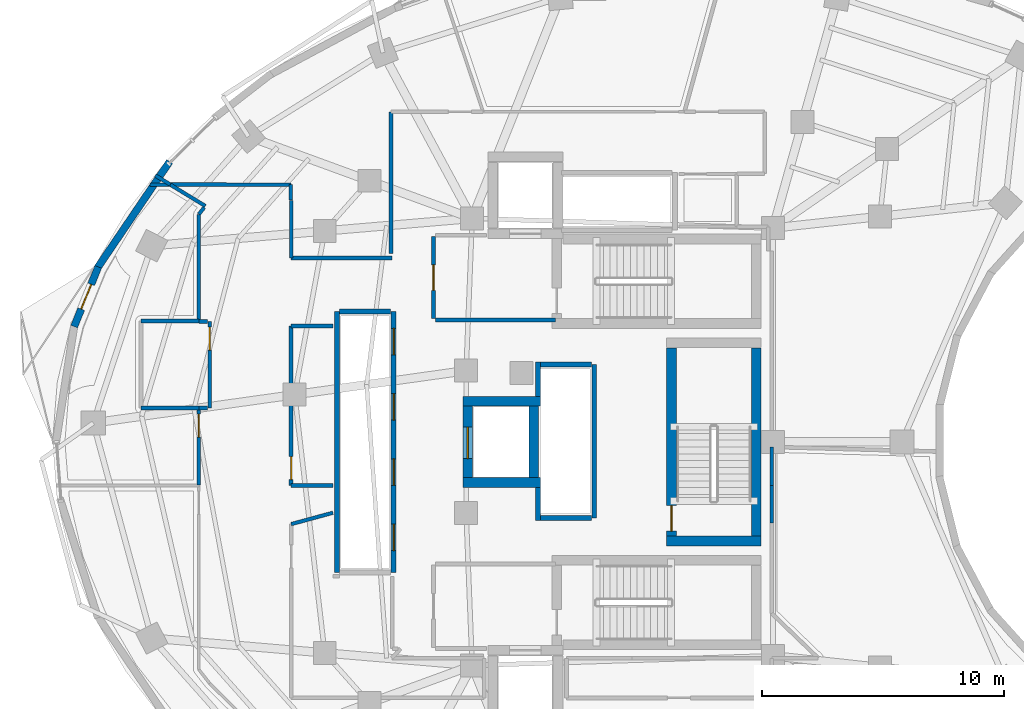
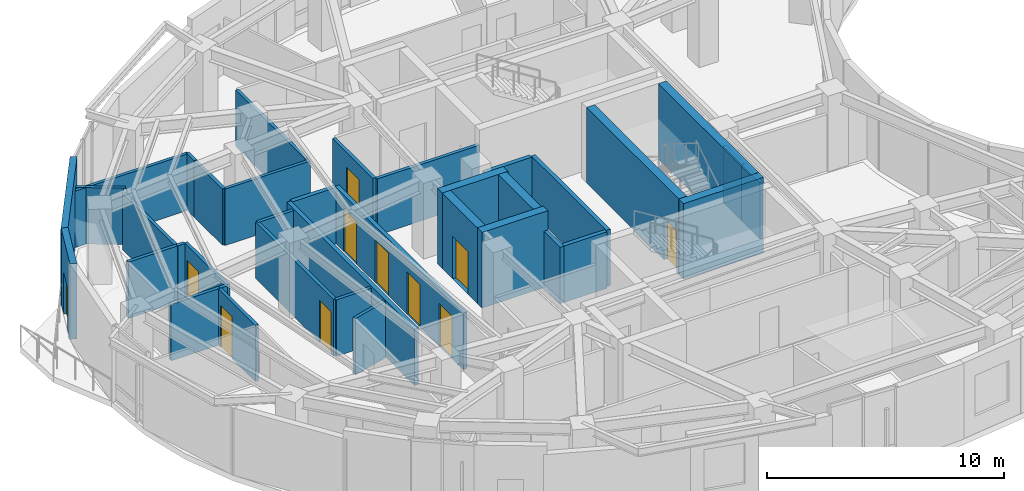
# One storey, part 8 of 13: 41 walls, 11 doors, 11 openings.
"""IFC4 building model written with IfcOpenShell, lengths in metres."""

from ifc_helpers import new_model, si_unit, direction, frame, frame_2d, origin, place, context, subcontext, project, spatial, rectangle, extrude, material, layer, layer_set, type_object, element, fill, save


model = new_model("IFC4")

# Units and contexts
model_context = context("Model", 3, precision=1e-05, world=origin(), true_north=direction((0.0, 1.0)))
body_context = subcontext(model_context, "Body", "Model", "MODEL_VIEW")
ifc_project = project(units=[si_unit("LENGTHUNIT", "METRE"), si_unit("AREAUNIT", "SQUARE_METRE"), si_unit("VOLUMEUNIT", "CUBIC_METRE"), si_unit("PLANEANGLEUNIT", "RADIAN"), si_unit("MASSUNIT", "GRAM", prefix="KILO")], contexts=[model_context])

# Site, building, storey
site_placement = place(None, origin())
site = spatial("IfcSite", under=ifc_project, at=site_placement, CompositionType="ELEMENT")
building_placement = place(site_placement, origin())
building = spatial("IfcBuilding", under=site, at=building_placement, Name="Korentha Bioscience Tower", CompositionType="ELEMENT")
storey_placement = place(building_placement, frame((0.0, 0.0, 154.199951171875)))
storey = spatial("IfcBuildingStorey", under=building, at=storey_placement, Name="L35", CompositionType="ELEMENT", Elevation=154.199951171875)

# Wall, opening, door
ifc_material_1 = material(Name="Double-Stud Acoustic Gypsum", Category="gypsum")
ifc_layer_1 = layer(ifc_material_1, 0.14990234375, Name="Double-Stud Acoustic Gypsum")
ifc_layer_set_1 = layer_set([ifc_layer_1], Name="Double-Stud Acoustic Gypsum (IW-L150)")
wall_type_1 = type_object("IfcWallType", Name="Acoustic Laboratory Partition Wall 150", PredefinedType="PARTITIONING", material=ifc_layer_set_1)
wall_1_placement = place(storey_placement, frame((13.7900390625, 28.389892578125, 0.0), z_axis=(0.0, 0.0, 1.0), x_axis=(0.0, -1.0, 0.0)))
wall_1 = element("IfcWall", 1, at=wall_1_placement, inside=storey, type_object=wall_type_1, Name="L35 Researchers' Wellness Quiet Room 11 Entrance Wall", PredefinedType="PARTITIONING", context=body_context, shape_type="SweptSolid", body=[
    extrude(rectangle(XDim=3.181884765625, YDim=0.14990234375, at=frame_2d((1.5908203125, 0.0))), origin(), (0.0, 0.0, 1.0), 2.91015625),
])
opening_1_placement = place(wall_1_placement, frame((0.239990234375, 0.0, 0.0)))
opening_1 = element("IfcOpeningElement", 2, at=opening_1_placement, cuts=wall_1, Name="Opening ID-10R", PredefinedType="OPENING", context=body_context, shape_type="SweptSolid", body=[
    extrude(rectangle(XDim=0.949951171875, YDim=2.14990234375, at=frame_2d((0.47509765625, 1.074951171875))), frame((0.0, 0.08984375, 0.0), z_axis=(0.0, -1.0, 0.0), x_axis=(1.0, 0.0, 0.0)), (0.0, 0.0, 1.0), 0.1796875),
])
ifc_material_2 = material(Name="Phenolic Laminate Timber Core", Category="wood")
door_type_1 = type_object("IfcDoorType", Name="Laboratory Single Leaf Door 950x2150 Right", OperationType="SINGLE_SWING_RIGHT", PredefinedType="DOOR", material=ifc_material_2)
door_1_placement = place(opening_1_placement, origin())
door_1 = element("IfcDoor", 3, at=door_1_placement, inside=storey, type_object=door_type_1, Name="L35 Researchers' Wellness Quiet Room 11 Door", OperationType="SINGLE_SWING_RIGHT", OverallHeight=2.14990234375, OverallWidth=0.949951171875, PredefinedType="DOOR", context=body_context, shape_type="SweptSolid", body=[
    extrude(rectangle(XDim=0.949951171875, YDim=2.14990234375, at=frame_2d((0.47509765625, 1.074951171875))), frame((0.0, 0.02490234375, 0.0), z_axis=(0.0, -1.0, 0.0), x_axis=(1.0, 0.0, 0.0)), (0.0, 0.0, 1.0), 0.050048828125),
])
fill(opening_1, door_1)

# Walls
wall_2_placement = place(storey_placement, frame((17.610107421875, 23.598876953125, 0.0), z_axis=(0.0, 0.0, 1.0), x_axis=(0.96501483668, 0.262195280255, 0.0)))
element("IfcWall", 4, at=wall_2_placement, inside=storey, type_object=wall_type_1, Name="L35 Interior Partition 035", PredefinedType="PARTITIONING", context=body_context, shape_type="SweptSolid", body=[
    extrude(rectangle(XDim=1.79248046875, YDim=0.14990234375, at=frame_2d((0.896240234375, 0.0))), origin(), (0.0, 0.0, 1.0), 2.91015625),
])
wall_3_placement = place(storey_placement, frame((37.501953125, 23.652099609375, 0.0), z_axis=(0.0, 0.0, 1.0), x_axis=(0.0, 1.0, 0.0)))
element("IfcWall", 5, at=wall_3_placement, inside=storey, type_object=wall_type_1, Name="L35 Interior Partition 052", PredefinedType="PARTITIONING", context=body_context, shape_type="SweptSolid", body=[
    extrude(rectangle(XDim=1.545654296875, YDim=0.14990234375, at=frame_2d((0.77294921875, 0.0))), origin(), (0.0, 0.0, 1.0), 2.91015625),
])
wall_4_placement = place(storey_placement, frame((37.501953125, 25.2021484375, 0.0), z_axis=(0.0, 0.0, 1.0), x_axis=(0.0, 1.0, 0.0)))
element("IfcWall", 6, at=wall_4_placement, inside=storey, type_object=wall_type_1, Name="L35 Interior Partition 053", PredefinedType="PARTITIONING", context=body_context, shape_type="SweptSolid", body=[
    extrude(rectangle(XDim=1.58935546875, YDim=0.14990234375, at=frame_2d((0.794677734375, 0.0))), origin(), (0.0, 0.0, 1.0), 2.91015625),
])
wall_5_placement = place(storey_placement, frame((21.739990234375, 40.64990234375, 0.0), z_axis=(0.0, 0.0, 1.0), x_axis=(0.0, -1.0, 0.0)))
element("IfcWall", 7, at=wall_5_placement, inside=storey, type_object=wall_type_1, Name="L35 Interior Partition 061", PredefinedType="PARTITIONING", context=body_context, shape_type="SweptSolid", body=[
    extrude(rectangle(XDim=5.849853515625, YDim=0.14990234375, at=frame_2d((2.9248046875, 0.0))), origin(), (0.0, 0.0, 1.0), 2.91015625),
])
wall_6_placement = place(storey_placement, frame((21.7900390625, 34.610107421875, 0.0), z_axis=(0.0, 0.0, 1.0), x_axis=(-1.0, 0.0, 0.0)))
element("IfcWall", 8, at=wall_6_placement, inside=storey, type_object=wall_type_1, Name="L35 Interior Partition 062", PredefinedType="PARTITIONING", context=body_context, shape_type="SweptSolid", body=[
    extrude(rectangle(XDim=4.179931640625, YDim=0.14990234375, at=frame_2d((2.08984375, 0.0))), origin(), (0.0, 0.0, 1.0), 2.91015625),
])
wall_7_placement = place(storey_placement, frame((17.610107421875, 34.610107421875, 0.0), z_axis=(0.0, 0.0, 1.0), x_axis=(0.0, 1.0, 0.0)))
element("IfcWall", 9, at=wall_7_placement, inside=storey, type_object=wall_type_1, Name="L35 Interior Partition 063", PredefinedType="PARTITIONING", context=body_context, shape_type="SweptSolid", body=[
    extrude(rectangle(XDim=2.389892578125, YDim=0.14990234375, at=frame_2d((1.19482421875, 0.0))), origin(), (0.0, 0.0, 1.0), 2.91015625),
])
wall_8_placement = place(storey_placement, frame((17.60009765625, 37.010009765625, 0.0), z_axis=(0.0, 0.0, 1.0), x_axis=(0.0, 1.0, 0.0)))
element("IfcWall", 10, at=wall_8_placement, inside=storey, type_object=wall_type_1, Name="L35 Interior Partition 065", PredefinedType="PARTITIONING", context=body_context, shape_type="SweptSolid", body=[
    extrude(rectangle(XDim=0.637939453125, YDim=0.14990234375, at=frame_2d((0.31884765625, 0.0))), origin(), (0.0, 0.0, 1.0), 2.91015625),
])
wall_9_placement = place(storey_placement, frame((17.60009765625, 37.64794921875, 0.0), z_axis=(0.0, 0.0, 1.0), x_axis=(-0.999999654811, 0.000830889254, 0.0)))
element("IfcWall", 11, at=wall_9_placement, inside=storey, type_object=wall_type_1, Name="L35 Interior Partition 066", PredefinedType="PARTITIONING", context=body_context, shape_type="SweptSolid", body=[
    extrude(rectangle(XDim=4.9951171875, YDim=0.14990234375, at=frame_2d((2.49755859375, 0.0))), origin(), (0.0, 0.0, 1.0), 2.91015625),
])
wall_10_placement = place(storey_placement, frame((12.604736328125, 37.652099609375, 0.0), z_axis=(0.0, 0.0, 1.0), x_axis=(-0.854460039547, 0.519517122737, 0.0)))
element("IfcWall", 12, at=wall_10_placement, inside=storey, type_object=wall_type_1, Name="L35 Interior Partition 067", PredefinedType="PARTITIONING", context=body_context, shape_type="SweptSolid", body=[
    extrude(rectangle(XDim=0.720947265625, YDim=0.14990234375, at=frame_2d((0.3603515625, 0.0))), origin(), (0.0, 0.0, 1.0), 2.91015625),
])
wall_11_placement = place(storey_placement, frame((11.762939453125, 37.64794921875, 0.0), z_axis=(0.0, 0.0, 1.0), x_axis=(1.0, 0.0, 0.0)))
element("IfcWall", 13, at=wall_11_placement, inside=storey, type_object=wall_type_1, Name="L35 Interior Partition 068", PredefinedType="PARTITIONING", context=body_context, shape_type="SweptSolid", body=[
    extrude(rectangle(XDim=0.8291015625, YDim=0.14990234375, at=frame_2d((0.41455078125, 0.0))), origin(), (0.0, 0.0, 1.0), 2.91015625),
])
wall_12_placement = place(storey_placement, frame((12.613525390625, 37.64208984375, 0.0), z_axis=(0.0, 0.0, 1.0), x_axis=(0.854432700604, -0.519562084971, 0.0)))
element("IfcWall", 14, at=wall_12_placement, inside=storey, type_object=wall_type_1, Name="L35 Interior Partition 069", PredefinedType="PARTITIONING", context=body_context, shape_type="SweptSolid", body=[
    extrude(rectangle(XDim=1.690673828125, YDim=0.14990234375, at=frame_2d((0.84521484375, 0.0))), origin(), (0.0, 0.0, 1.0), 2.91015625),
])
wall_13_placement = place(storey_placement, frame((14.009521484375, 36.701904296875, 0.0), z_axis=(0.0, 0.0, 1.0), x_axis=(-0.615804973601, -0.787898619423, 0.0)))
element("IfcWall", 15, at=wall_13_placement, inside=storey, type_object=wall_type_1, Name="L35 Interior Partition 070", PredefinedType="PARTITIONING", context=body_context, shape_type="SweptSolid", body=[
    extrude(rectangle(XDim=0.353271484375, YDim=0.14990234375, at=frame_2d((0.1767578125, 0.0))), origin(), (0.0, 0.0, 1.0), 2.91015625),
])
wall_14_placement = place(storey_placement, frame((13.7900390625, 36.41748046875, 0.0), z_axis=(0.0, 0.0, 1.0), x_axis=(0.0, -1.0, 0.0)))
element("IfcWall", 16, at=wall_14_placement, inside=storey, type_object=wall_type_1, Name="L35 Interior Partition 071", PredefinedType="PARTITIONING", context=body_context, shape_type="SweptSolid", body=[
    extrude(rectangle(XDim=4.407470703125, YDim=0.14990234375, at=frame_2d((2.20361328125, 0.0))), origin(), (0.0, 0.0, 1.0), 2.91015625),
])

# Wall, opening, door
ifc_material_3 = material(Name="Gypsum-Clad Steel Stud", Category="steel")
ifc_layer_2 = layer(ifc_material_3, 0.159912109375, Name="Gypsum-Clad Steel Stud")
ifc_layer_set_2 = layer_set([ifc_layer_2], Name="Gypsum-Clad Steel Stud (IW-C160)")
wall_type_2 = type_object("IfcWallType", Name="Fire-Rated Corridor Partition Wall 160", PredefinedType="PARTITIONING", material=ifc_layer_set_2)
wall_15_placement = place(storey_placement, frame((23.5, 32.10009765625, 0.0), z_axis=(0.0, 0.0, 1.0), x_axis=(0.0, 1.0, 0.0)))
wall_15 = element("IfcWall", 17, at=wall_15_placement, inside=storey, type_object=wall_type_2, Name="L35 FFLN-CW Rated Enclosure Wall", PredefinedType="PARTITIONING", context=body_context, shape_type="SweptSolid", body=[
    extrude(rectangle(XDim=3.39990234375, YDim=0.159912109375, at=frame_2d((1.699951171875, 0.0))), origin(), (0.0, 0.0, 1.0), 2.91015625),
])
opening_2_placement = place(wall_15_placement, frame((1.175048828125, 0.0, 0.0)))
opening_2 = element("IfcOpeningElement", 18, at=opening_2_placement, cuts=wall_15, Name="Opening FD-90R", PredefinedType="OPENING", context=body_context, shape_type="SweptSolid", body=[
    extrude(rectangle(XDim=1.050048828125, YDim=2.14990234375, at=frame_2d((0.52490234375, 1.074951171875))), frame((0.0, 0.0947265625, 0.0), z_axis=(0.0, -1.0, 0.0), x_axis=(1.0, 0.0, 0.0)), (0.0, 0.0, 1.0), 0.189697265625),
])
ifc_material_4 = material(Name="Powder-Coated Fire-Rated Steel", Category="steel")
door_type_2 = type_object("IfcDoorType", Name="Stairwell Fire Exit Door 1050x2150 Right", OperationType="SINGLE_SWING_RIGHT", PredefinedType="DOOR", material=ifc_material_4)
door_2_placement = place(opening_2_placement, origin())
door_2 = element("IfcDoor", 19, at=door_2_placement, inside=storey, type_object=door_type_2, Name="L35 North Firefighting Lobby Door", OperationType="SINGLE_SWING_RIGHT", OverallHeight=2.14990234375, OverallWidth=1.050048828125, PredefinedType="DOOR", context=body_context, shape_type="SweptSolid", body=[
    extrude(rectangle(XDim=1.050048828125, YDim=2.14990234375, at=frame_2d((0.52490234375, 1.074951171875))), frame((0.0, 0.02490234375, 0.0), z_axis=(0.0, -1.0, 0.0), x_axis=(1.0, 0.0, 0.0)), (0.0, 0.0, 1.0), 0.050048828125),
])
fill(opening_2, door_2)

# Wall
wall_16_placement = place(storey_placement, frame((23.580078125, 32.050048828125, 0.0), z_axis=(0.0, 0.0, 1.0), x_axis=(1.0, 0.0, 0.0)))
element("IfcWall", 20, at=wall_16_placement, inside=storey, type_object=wall_type_2, Name="L35 Firefighting Lobby Return Wall FFLN-S", PredefinedType="PARTITIONING", context=body_context, shape_type="SweptSolid", body=[
    extrude(rectangle(XDim=4.969970703125, YDim=0.159912109375, at=frame_2d((2.48486328125, 0.0))), origin(), (0.0, 0.0, 1.0), 2.91015625),
])

# Wall, opening, door
wall_17_placement = place(storey_placement, frame((14.239990234375, 31.989990234375, 0.0), z_axis=(0.0, 0.0, 1.0), x_axis=(0.0, -1.0, 0.0)))
wall_17 = element("IfcWall", 21, at=wall_17_placement, inside=storey, type_object=wall_type_2, Name="L35 Reclaimed Bank-1 North Data Closet Entrance Wall", PredefinedType="PARTITIONING", context=body_context, shape_type="SweptSolid", body=[
    extrude(rectangle(XDim=3.580078125, YDim=0.159912109375, at=frame_2d((1.7900390625, 0.0))), origin(), (0.0, 0.0, 1.0), 2.91015625),
])
opening_3_placement = place(wall_17_placement, frame((0.239990234375, 0.0, 0.0)))
opening_3 = element("IfcOpeningElement", 22, at=opening_3_placement, cuts=wall_17, Name="Opening ID-10L", PredefinedType="OPENING", context=body_context, shape_type="SweptSolid", body=[
    extrude(rectangle(XDim=0.949951171875, YDim=2.14990234375, at=frame_2d((0.47509765625, 1.074951171875))), frame((0.0, 0.0947265625, 0.0), z_axis=(0.0, -1.0, 0.0), x_axis=(1.0, 0.0, 0.0)), (0.0, 0.0, 1.0), 0.189697265625),
])
door_type_3 = type_object("IfcDoorType", Name="Laboratory Single Leaf Door 950x2150 Left", OperationType="SINGLE_SWING_LEFT", PredefinedType="DOOR", material=ifc_material_2)
door_3_placement = place(opening_3_placement, origin())
door_3 = element("IfcDoor", 23, at=door_3_placement, inside=storey, type_object=door_type_3, Name="L35 Reclaimed Bank-1 North Data Closet Door", OperationType="SINGLE_SWING_LEFT", OverallHeight=2.14990234375, OverallWidth=0.949951171875, PredefinedType="DOOR", context=body_context, shape_type="SweptSolid", body=[
    extrude(rectangle(XDim=0.949951171875, YDim=2.14990234375, at=frame_2d((0.47509765625, 1.074951171875))), frame((0.0, 0.02490234375, 0.0), z_axis=(0.0, -1.0, 0.0), x_axis=(1.0, 0.0, 0.0)), (0.0, 0.0, 1.0), 0.050048828125),
])
fill(opening_3, door_3)

wall_18_placement = place(storey_placement, frame((17.610107421875, 25.201904296875, 0.0), z_axis=(0.0, 0.0, 1.0), x_axis=(0.0, 1.0, 0.0)))
wall_18 = element("IfcWall", 24, at=wall_18_placement, inside=storey, type_object=wall_type_2, Name="L35 Cryogenic Dewar Supply Store 12 Entrance Wall", PredefinedType="PARTITIONING", context=body_context, shape_type="SweptSolid", body=[
    extrude(rectangle(XDim=6.588134765625, YDim=0.159912109375, at=frame_2d((3.2939453125, 0.0))), origin(), (0.0, 0.0, 1.0), 2.91015625),
])
opening_4_placement = place(wall_18_placement, frame((0.239990234375, 0.0, 0.0)))
opening_4 = element("IfcOpeningElement", 25, at=opening_4_placement, cuts=wall_18, Name="Opening ID-10L", PredefinedType="OPENING", context=body_context, shape_type="SweptSolid", body=[
    extrude(rectangle(XDim=0.949951171875, YDim=2.14990234375, at=frame_2d((0.47509765625, 1.074951171875))), frame((0.0, 0.0947265625, 0.0), z_axis=(0.0, -1.0, 0.0), x_axis=(1.0, 0.0, 0.0)), (0.0, 0.0, 1.0), 0.189697265625),
])
door_4_placement = place(opening_4_placement, origin())
door_4 = element("IfcDoor", 26, at=door_4_placement, inside=storey, type_object=door_type_3, Name="L35 Cryogenic Dewar Supply Store 12 Door", OperationType="SINGLE_SWING_LEFT", OverallHeight=2.14990234375, OverallWidth=0.949951171875, PredefinedType="DOOR", context=body_context, shape_type="SweptSolid", body=[
    extrude(rectangle(XDim=0.949951171875, YDim=2.14990234375, at=frame_2d((0.47509765625, 1.074951171875))), frame((0.0, 0.02490234375, 0.0), z_axis=(0.0, -1.0, 0.0), x_axis=(1.0, 0.0, 0.0)), (0.0, 0.0, 1.0), 0.050048828125),
])
fill(opening_4, door_4)

# Walls
for number, where, z_axis, x_axis, name in (
    (27, (13.800048828125, 31.989990234375, 0.0), (0.0, 0.0, 1.0), (1.0, 0.0, 0.0), "L35 Interior Partition 017"),
    (28, (14.156982421875, 28.409912109375, 0.0), (0.0, 0.0, 1.0), (-1.0, 0.0, 0.0), "L35 Interior Partition 018"),
):
    element("IfcWall", number, at=place(storey_placement, frame(where, z_axis=z_axis, x_axis=x_axis)), inside=storey, type_object=wall_type_2, Name=name, PredefinedType="PARTITIONING", context=body_context, shape_type="SweptSolid", body=[
        extrude(rectangle(XDim=0.35693359375, YDim=0.159912109375, at=frame_2d((0.178466796875, 0.0))), origin(), (0.0, 0.0, 1.0), 2.91015625),
    ])
for number, where, z_axis, x_axis, name in (
    (29, (13.7900390625, 28.39990234375, 0.0), (0.0, 0.0, 1.0), (-1.0, 0.0, 0.0), "L35 Interior Partition 019"),
    (30, (11.39990234375, 32.0, 0.0), (0.0, 0.0, 1.0), (1.0, 0.0, 0.0), "L35 Interior Partition 021"),
):
    element("IfcWall", number, at=place(storey_placement, frame(where, z_axis=z_axis, x_axis=x_axis)), inside=storey, type_object=wall_type_2, Name=name, PredefinedType="PARTITIONING", context=body_context, shape_type="SweptSolid", body=[
        extrude(rectangle(XDim=2.39013671875, YDim=0.159912109375, at=frame_2d((1.195068359375, 0.0))), origin(), (0.0, 0.0, 1.0), 2.91015625),
    ])
for number, where, z_axis, x_axis, name in (
    (31, (19.340087890625, 25.201904296875, 0.0), (0.0, 0.0, 1.0), (-1.0, 0.0, 0.0), "L35 Interior Partition 072"),
    (32, (17.610107421875, 31.7900390625, 0.0), (0.0, 0.0, 1.0), (1.0, 0.0, 0.0), "L35 Interior Partition 073"),
):
    element("IfcWall", number, at=place(storey_placement, frame(where, z_axis=z_axis, x_axis=x_axis)), inside=storey, type_object=wall_type_2, Name=name, PredefinedType="PARTITIONING", context=body_context, shape_type="SweptSolid", body=[
        extrude(rectangle(XDim=1.72998046875, YDim=0.159912109375, at=frame_2d((0.864990234375, 0.0))), origin(), (0.0, 0.0, 1.0), 2.91015625),
    ])

# Wall, opening, door
ifc_material_5 = material(Name="Honed Limestone Precast Concrete C40", Category="masonry")
ifc_layer_3 = layer(ifc_material_5, 0.300048828125, Name="Honed Limestone Precast Concrete C40")
ifc_layer_set_3 = layer_set([ifc_layer_3], Name="Honed Limestone Precast Concrete C40 (EW-ST300)")
wall_type_3 = type_object("IfcWallType", Name="Honed Limestone Cavity Spandrel Wall 300", PredefinedType="STANDARD", material=ifc_layer_set_3)
wall_19_placement = place(storey_placement, frame((9.625732421875, 34.2421875, 0.0), z_axis=(0.0, 0.0, 1.0), x_axis=(-0.373983610438, -0.927435312636, 0.0)))
wall_19 = element("IfcWall", 33, at=wall_19_placement, inside=storey, type_object=wall_type_3, Name="L35 Balcony Threshold Wall 02", PredefinedType="STANDARD", context=body_context, shape_type="SweptSolid", body=[
    extrude(rectangle(XDim=2.660888671875, YDim=0.300048828125, at=frame_2d((1.33056640625, 0.0))), origin(), (0.0, 0.0, 1.0), 3.900146484375),
])
opening_5_placement = place(wall_19_placement, frame((0.780517578125, 0.0, 0.0)))
opening_5 = element("IfcOpeningElement", 34, at=opening_5_placement, cuts=wall_19, Name="Opening BD-11R", PredefinedType="OPENING", context=body_context, shape_type="SweptSolid", body=[
    extrude(rectangle(XDim=1.10009765625, YDim=2.14990234375, at=frame_2d((0.550048828125, 1.074951171875))), frame((0.0, 0.1650390625, 0.0), z_axis=(0.0, -1.0, 0.0), x_axis=(1.0, 0.0, 0.0)), (0.0, 0.0, 1.0), 0.329833984375),
])
ifc_material_6 = material(Name="Thermally Broken Glazed Aluminium", Category="aluminium")
door_type_4 = type_object("IfcDoorType", Name="Balcony Terrace Glazed Door 1100x2150 Right", OperationType="SINGLE_SWING_RIGHT", PredefinedType="DOOR", material=ifc_material_6)
door_5_placement = place(opening_5_placement, origin())
door_5 = element("IfcDoor", 35, at=door_5_placement, inside=storey, type_object=door_type_4, Name="L35 Balcony Access Door 02", OperationType="SINGLE_SWING_RIGHT", OverallHeight=2.14990234375, OverallWidth=1.10009765625, PredefinedType="DOOR", context=body_context, shape_type="SweptSolid", body=[
    extrude(rectangle(XDim=1.10009765625, YDim=2.14990234375, at=frame_2d((0.550048828125, 1.074951171875))), frame((0.0, 0.02490234375, 0.0), z_axis=(0.0, -1.0, 0.0), x_axis=(1.0, 0.0, 0.0)), (0.0, 0.0, 1.0), 0.050048828125),
])
fill(opening_5, door_5)

# Walls
wall_20_placement = place(storey_placement, frame((12.580078125, 38.6005859375, 0.0), z_axis=(0.0, 0.0, 1.0), x_axis=(-0.561663900064, -0.827365495634, 0.0)))
element("IfcWall", 36, at=wall_20_placement, inside=storey, type_object=wall_type_3, Name="L35 Limestone Perimeter Closure Wall 14", PredefinedType="STANDARD", context=body_context, shape_type="SweptSolid", body=[
    extrude(rectangle(XDim=5.437744140625, YDim=0.300048828125, at=frame_2d((2.71875, 0.0))), origin(), (0.0, 0.0, 1.0), 3.900146484375),
])
ifc_material_7 = material(Name="Autoclaved Aerated Concrete Block C25", Category="concrete")
ifc_layer_4 = layer(ifc_material_7, 0.199951171875, Name="Autoclaved Aerated Concrete Block C25")
ifc_layer_set_4 = layer_set([ifc_layer_4], Name="Autoclaved Aerated Concrete Block C25 (IW-S200)")
wall_type_4 = type_object("IfcWallType", Name="Lift and Riser Shaft Enclosure Wall 200", PredefinedType="PARTITIONING", material=ifc_layer_set_4)
wall_21_placement = place(storey_placement, frame((19.5, 21.60009765625, 0.0), z_axis=(0.0, 0.0, 1.0), x_axis=(0.0, 1.0, 0.0)))
element("IfcWall", 37, at=wall_21_placement, inside=storey, type_object=wall_type_4, Name="L35 Lift Bank MID Shaft Wall -X", PredefinedType="PARTITIONING", context=body_context, shape_type="SweptSolid", body=[
    extrude(rectangle(XDim=10.7998046875, YDim=0.199951171875, at=frame_2d((5.39990234375, 0.0))), origin(), (0.0, 0.0, 1.0), 2.91015625),
])

# Wall, openings, doors
wall_22_placement = place(storey_placement, frame((21.85009765625, 21.60009765625, 0.0), z_axis=(0.0, 0.0, 1.0), x_axis=(0.0, 1.0, 0.0)))
wall_22 = element("IfcWall", 38, at=wall_22_placement, inside=storey, type_object=wall_type_4, Name="L35 Lift Bank MID Shaft Wall +X", PredefinedType="PARTITIONING", context=body_context, shape_type="SweptSolid", body=[
    extrude(rectangle(XDim=10.7998046875, YDim=0.199951171875, at=frame_2d((5.39990234375, 0.0))), origin(), (0.0, 0.0, 1.0), 2.91015625),
])
opening_6_placement = place(wall_22_placement, frame((0.89990234375, 0.0, 0.0)))
opening_6 = element("IfcOpeningElement", 39, at=opening_6_placement, cuts=wall_22, Name="Opening LD-11", PredefinedType="OPENING", context=body_context, shape_type="SweptSolid", body=[
    extrude(rectangle(XDim=1.10009765625, YDim=2.199951171875, at=frame_2d((0.550048828125, 1.10009765625))), frame((0.0, 0.11474609375, 0.0), z_axis=(0.0, -1.0, 0.0), x_axis=(1.0, 0.0, 0.0)), (0.0, 0.0, 1.0), 0.229736328125),
])
opening_7_placement = place(wall_22_placement, frame((3.60009765625, 0.0, 0.0)))
opening_7 = element("IfcOpeningElement", 40, at=opening_7_placement, cuts=wall_22, Name="Opening LD-11", PredefinedType="OPENING", context=body_context, shape_type="SweptSolid", body=[
    extrude(rectangle(XDim=1.10009765625, YDim=2.199951171875, at=frame_2d((0.550048828125, 1.10009765625))), frame((0.0, 0.11474609375, 0.0), z_axis=(0.0, -1.0, 0.0), x_axis=(1.0, 0.0, 0.0)), (0.0, 0.0, 1.0), 0.229736328125),
])
opening_8_placement = place(wall_22_placement, frame((6.300048828125, 0.0, 0.0)))
opening_8 = element("IfcOpeningElement", 41, at=opening_8_placement, cuts=wall_22, Name="Opening LD-11", PredefinedType="OPENING", context=body_context, shape_type="SweptSolid", body=[
    extrude(rectangle(XDim=1.10009765625, YDim=2.199951171875, at=frame_2d((0.550048828125, 1.10009765625))), frame((0.0, 0.11474609375, 0.0), z_axis=(0.0, -1.0, 0.0), x_axis=(1.0, 0.0, 0.0)), (0.0, 0.0, 1.0), 0.229736328125),
])
opening_9_placement = place(wall_22_placement, frame((9.0, 0.0, 0.0)))
opening_9 = element("IfcOpeningElement", 42, at=opening_9_placement, cuts=wall_22, Name="Opening LD-11", PredefinedType="OPENING", context=body_context, shape_type="SweptSolid", body=[
    extrude(rectangle(XDim=1.10009765625, YDim=2.199951171875, at=frame_2d((0.550048828125, 1.10009765625))), frame((0.0, 0.11474609375, 0.0), z_axis=(0.0, -1.0, 0.0), x_axis=(1.0, 0.0, 0.0)), (0.0, 0.0, 1.0), 0.229736328125),
])
ifc_material_8 = material(Name="Brushed Stainless Steel 304", Category="steel")
door_type_5 = type_object("IfcDoorType", Name="Passenger Lift Sliding Landing Door 1100x2200", OperationType="DOUBLE_DOOR_SLIDING", PredefinedType="DOOR", material=ifc_material_8)
door_6_placement = place(opening_6_placement, origin())
door_6 = element("IfcDoor", 43, at=door_6_placement, inside=storey, type_object=door_type_5, Name="L35 PL-M1 Sliding Lift Landing Door", OperationType="DOUBLE_DOOR_SLIDING", OverallHeight=2.199951171875, OverallWidth=1.10009765625, PredefinedType="DOOR", context=body_context, shape_type="SweptSolid", body=[
    extrude(rectangle(XDim=1.10009765625, YDim=2.199951171875, at=frame_2d((0.550048828125, 1.10009765625))), frame((0.0, 0.02490234375, 0.0), z_axis=(0.0, -1.0, 0.0), x_axis=(1.0, 0.0, 0.0)), (0.0, 0.0, 1.0), 0.050048828125),
])
fill(opening_6, door_6)
door_7_placement = place(opening_7_placement, origin())
door_7 = element("IfcDoor", 44, at=door_7_placement, inside=storey, type_object=door_type_5, Name="L35 PL-M2 Sliding Lift Landing Door", OperationType="DOUBLE_DOOR_SLIDING", OverallHeight=2.199951171875, OverallWidth=1.10009765625, PredefinedType="DOOR", context=body_context, shape_type="SweptSolid", body=[
    extrude(rectangle(XDim=1.10009765625, YDim=2.199951171875, at=frame_2d((0.550048828125, 1.10009765625))), frame((0.0, 0.02490234375, 0.0), z_axis=(0.0, -1.0, 0.0), x_axis=(1.0, 0.0, 0.0)), (0.0, 0.0, 1.0), 0.050048828125),
])
fill(opening_7, door_7)
door_8_placement = place(opening_8_placement, origin())
door_8 = element("IfcDoor", 45, at=door_8_placement, inside=storey, type_object=door_type_5, Name="L35 PL-M3 Sliding Lift Landing Door", OperationType="DOUBLE_DOOR_SLIDING", OverallHeight=2.199951171875, OverallWidth=1.10009765625, PredefinedType="DOOR", context=body_context, shape_type="SweptSolid", body=[
    extrude(rectangle(XDim=1.10009765625, YDim=2.199951171875, at=frame_2d((0.550048828125, 1.10009765625))), frame((0.0, 0.02490234375, 0.0), z_axis=(0.0, -1.0, 0.0), x_axis=(1.0, 0.0, 0.0)), (0.0, 0.0, 1.0), 0.050048828125),
])
fill(opening_8, door_8)
door_9_placement = place(opening_9_placement, origin())
door_9 = element("IfcDoor", 46, at=door_9_placement, inside=storey, type_object=door_type_5, Name="L35 PL-M4 Sliding Lift Landing Door", OperationType="DOUBLE_DOOR_SLIDING", OverallHeight=2.199951171875, OverallWidth=1.10009765625, PredefinedType="DOOR", context=body_context, shape_type="SweptSolid", body=[
    extrude(rectangle(XDim=1.10009765625, YDim=2.199951171875, at=frame_2d((0.550048828125, 1.10009765625))), frame((0.0, 0.02490234375, 0.0), z_axis=(0.0, -1.0, 0.0), x_axis=(1.0, 0.0, 0.0)), (0.0, 0.0, 1.0), 0.050048828125),
])
fill(opening_9, door_9)

# Walls
wall_23_placement = place(storey_placement, frame((19.6201171875, 32.39990234375, 0.0), z_axis=(0.0, 0.0, 1.0), x_axis=(1.0, 0.0, 0.0)))
element("IfcWall", 47, at=wall_23_placement, inside=storey, type_object=wall_type_4, Name="L35 Lift Bank MID Shaft Wall +Y", PredefinedType="PARTITIONING", context=body_context, shape_type="SweptSolid", body=[
    extrude(rectangle(XDim=2.10986328125, YDim=0.199951171875, at=frame_2d((1.054931640625, 0.0))), origin(), (0.0, 0.0, 1.0), 2.91015625),
])
wall_24_placement = place(storey_placement, frame((27.830078125, 23.75, 0.0), z_axis=(0.0, 0.0, 1.0), x_axis=(0.0, 1.0, 0.0)))
element("IfcWall", 48, at=wall_24_placement, inside=storey, type_object=wall_type_4, Name="L35 Lift Bank HIGH Shaft Wall -XS", PredefinedType="PARTITIONING", context=body_context, shape_type="SweptSolid", body=[
    extrude(rectangle(XDim=1.365966796875, YDim=0.199951171875, at=frame_2d((0.68310546875, 0.0))), origin(), (0.0, 0.0, 1.0), 2.91015625),
])
wall_25_placement = place(storey_placement, frame((27.830078125, 28.884033203125, 0.0), z_axis=(0.0, 0.0, 1.0), x_axis=(0.0, 1.0, 0.0)))
element("IfcWall", 49, at=wall_25_placement, inside=storey, type_object=wall_type_4, Name="L35 Lift Bank HIGH Shaft Wall -XN", PredefinedType="PARTITIONING", context=body_context, shape_type="SweptSolid", body=[
    extrude(rectangle(XDim=1.416015625, YDim=0.199951171875, at=frame_2d((0.7080078125, 0.0))), origin(), (0.0, 0.0, 1.0), 2.91015625),
])
wall_26_placement = place(storey_placement, frame((30.14990234375, 23.85009765625, 0.0), z_axis=(0.0, 0.0, 1.0), x_axis=(0.0, 1.0, 0.0)))
element("IfcWall", 50, at=wall_26_placement, inside=storey, type_object=wall_type_4, Name="L35 Lift Bank HIGH Shaft Wall +X", PredefinedType="PARTITIONING", context=body_context, shape_type="SweptSolid", body=[
    extrude(rectangle(XDim=6.349853515625, YDim=0.199951171875, at=frame_2d((3.1748046875, 0.0))), origin(), (0.0, 0.0, 1.0), 2.91015625),
])
for number, where, z_axis, x_axis, name in (
    (51, (27.93408203125, 23.85009765625, 0.0), (0.0, 0.0, 1.0), (1.0, 0.0, 0.0), "L35 Lift Bank HIGH Shaft Wall -Y"),
    (52, (27.93408203125, 30.199951171875, 0.0), (0.0, 0.0, 1.0), (1.0, 0.0, 0.0), "L35 Lift Bank HIGH Shaft Wall +Y"),
):
    element("IfcWall", number, at=place(storey_placement, frame(where, z_axis=z_axis, x_axis=x_axis)), inside=storey, type_object=wall_type_4, Name=name, PredefinedType="PARTITIONING", context=body_context, shape_type="SweptSolid", body=[
        extrude(rectangle(XDim=2.095947265625, YDim=0.199951171875, at=frame_2d((1.0478515625, 0.0))), origin(), (0.0, 0.0, 1.0), 2.91015625),
    ])
ifc_material_9 = material(Name="Concrete C65", Category="concrete")
ifc_layer_5 = layer(ifc_material_9, 0.39990234375, Name="Concrete C65")
ifc_layer_set_5 = layer_set([ifc_layer_5], Name="Concrete C65 (CW-C65)")
wall_type_5 = type_object("IfcWallType", Name="Mid-Rise Core Shear Wall 400", PredefinedType="SHEAR", material=ifc_layer_set_5)
wall_27_placement = place(storey_placement, frame((33.14990234375, 22.89990234375, 0.0), z_axis=(0.0, 0.0, 1.0), x_axis=(1.0, 0.0, 0.0)))
element("IfcWall", 53, at=wall_27_placement, inside=storey, type_object=wall_type_5, Name="L35 Core Shear Wall ST3-S", PredefinedType="SHEAR", context=body_context, shape_type="SweptSolid", body=[
    extrude(rectangle(XDim=3.900146484375, YDim=0.39990234375, at=frame_2d((1.9501953125, 0.0))), origin(), (0.0, 0.0, 1.0), 3.900146484375),
])
wall_28_placement = place(storey_placement, frame((36.85009765625, 23.110107421875, 0.0), z_axis=(0.0, 0.0, 1.0), x_axis=(0.0, 1.0, 0.0)))
element("IfcWall", 54, at=wall_28_placement, inside=storey, type_object=wall_type_5, Name="L35 Core Shear Wall ST3-E", PredefinedType="SHEAR", context=body_context, shape_type="SweptSolid", body=[
    extrude(rectangle(XDim=7.77978515625, YDim=0.39990234375, at=frame_2d((3.889892578125, 0.0))), origin(), (0.0, 0.0, 1.0), 3.900146484375),
])

# Wall, opening, door
wall_29_placement = place(storey_placement, frame((33.35009765625, 23.110107421875, 0.0), z_axis=(0.0, 0.0, 1.0), x_axis=(0.0, 1.0, 0.0)))
wall_29 = element("IfcWall", 55, at=wall_29_placement, inside=storey, type_object=wall_type_5, Name="L35 Core Shear Wall ST3-W", PredefinedType="SHEAR", context=body_context, shape_type="SweptSolid", body=[
    extrude(rectangle(XDim=7.77978515625, YDim=0.39990234375, at=frame_2d((3.889892578125, 0.0))), origin(), (0.0, 0.0, 1.0), 3.900146484375),
])
opening_10_placement = place(wall_29_placement, frame((0.199951171875, 0.0, 0.0)))
opening_10 = element("IfcOpeningElement", 56, at=opening_10_placement, cuts=wall_29, Name="Opening FD-90R", PredefinedType="OPENING", context=body_context, shape_type="SweptSolid", body=[
    extrude(rectangle(XDim=1.050048828125, YDim=2.14990234375, at=frame_2d((0.52490234375, 1.074951171875))), frame((0.0, 0.21484375, 0.0), z_axis=(0.0, -1.0, 0.0), x_axis=(1.0, 0.0, 0.0)), (0.0, 0.0, 1.0), 0.4296875),
])
door_10_placement = place(opening_10_placement, origin())
door_10 = element("IfcDoor", 57, at=door_10_placement, inside=storey, type_object=door_type_2, Name="L35 ST-3 Fire Exit Stair Door", OperationType="SINGLE_SWING_RIGHT", OverallHeight=2.14990234375, OverallWidth=1.050048828125, PredefinedType="DOOR", context=body_context, shape_type="SweptSolid", body=[
    extrude(rectangle(XDim=1.050048828125, YDim=2.14990234375, at=frame_2d((0.52490234375, 1.074951171875))), frame((0.0, 0.02490234375, 0.0), z_axis=(0.0, -1.0, 0.0), x_axis=(1.0, 0.0, 0.0)), (0.0, 0.0, 1.0), 0.050048828125),
])
fill(opening_10, door_10)

# Walls
for number, where, z_axis, x_axis, name in (
    (58, (24.719970703125, 28.679931640625, 0.0), (0.0, 0.0, 1.0), (1.0, 0.0, 0.0), "L35 Core Shear Wall SVL1-N"),
    (59, (24.719970703125, 25.320068359375, 0.0), (0.0, 0.0, 1.0), (1.0, 0.0, 0.0), "L35 Core Shear Wall SVL1-S"),
):
    element("IfcWall", number, at=place(storey_placement, frame(where, z_axis=z_axis, x_axis=x_axis)), inside=storey, type_object=wall_type_5, Name=name, PredefinedType="SHEAR", context=body_context, shape_type="SweptSolid", body=[
        extrude(rectangle(XDim=3.2099609375, YDim=0.39990234375, at=frame_2d((1.60498046875, 0.0))), origin(), (0.0, 0.0, 1.0), 3.900146484375),
    ])

# Wall, opening, door
wall_30_placement = place(storey_placement, frame((24.919921875, 25.52197265625, 0.0), z_axis=(0.0, 0.0, 1.0), x_axis=(0.0, 1.0, 0.0)))
wall_30 = element("IfcWall", 60, at=wall_30_placement, inside=storey, type_object=wall_type_5, Name="L35 Core Shear Wall SVL1-W", PredefinedType="SHEAR", context=body_context, shape_type="SweptSolid", body=[
    extrude(rectangle(XDim=2.9560546875, YDim=0.39990234375, at=frame_2d((1.47802734375, 0.0))), origin(), (0.0, 0.0, 1.0), 3.900146484375),
])
opening_11_placement = place(wall_30_placement, frame((0.7900390625, 0.0, 0.0)))
opening_11 = element("IfcOpeningElement", 61, at=opening_11_placement, cuts=wall_30, Name="Opening LD-13", PredefinedType="OPENING", context=body_context, shape_type="SweptSolid", body=[
    extrude(rectangle(XDim=1.300048828125, YDim=2.199951171875, at=frame_2d((0.64990234375, 1.10009765625))), frame((0.0, 0.21484375, 0.0), z_axis=(0.0, -1.0, 0.0), x_axis=(1.0, 0.0, 0.0)), (0.0, 0.0, 1.0), 0.4296875),
])
ifc_material_10 = material(Name="Brushed Stainless Steel 316", Category="steel")
door_type_6 = type_object("IfcDoorType", Name="Service & Firefighting Lift Landing Door 1300x2300", OperationType="DOUBLE_DOOR_SLIDING", PredefinedType="DOOR", material=ifc_material_10)
door_11_placement = place(opening_11_placement, origin())
door_11 = element("IfcDoor", 62, at=door_11_placement, inside=storey, type_object=door_type_6, Name="L35 SVL-1 Sliding Lift Landing Door", OperationType="DOUBLE_DOOR_SLIDING", OverallHeight=2.199951171875, OverallWidth=1.300048828125, PredefinedType="DOOR", context=body_context, shape_type="SweptSolid", body=[
    extrude(rectangle(XDim=1.300048828125, YDim=2.199951171875, at=frame_2d((0.64990234375, 1.10009765625))), frame((0.0, 0.02490234375, 0.0), z_axis=(0.0, -1.0, 0.0), x_axis=(1.0, 0.0, 0.0)), (0.0, 0.0, 1.0), 0.050048828125),
])
fill(opening_11, door_11)

# Wall
wall_31_placement = place(storey_placement, frame((27.64990234375, 25.52197265625, 0.0), z_axis=(0.0, 0.0, 1.0), x_axis=(0.0, 1.0, 0.0)))
element("IfcWall", 63, at=wall_31_placement, inside=storey, type_object=wall_type_5, Name="L35 Core Shear Wall SVL1-E", PredefinedType="SHEAR", context=body_context, shape_type="SweptSolid", body=[
    extrude(rectangle(XDim=2.9560546875, YDim=0.39990234375, at=frame_2d((1.47802734375, 0.0))), origin(), (0.0, 0.0, 1.0), 3.900146484375),
])

save(model, "model.ifc")
